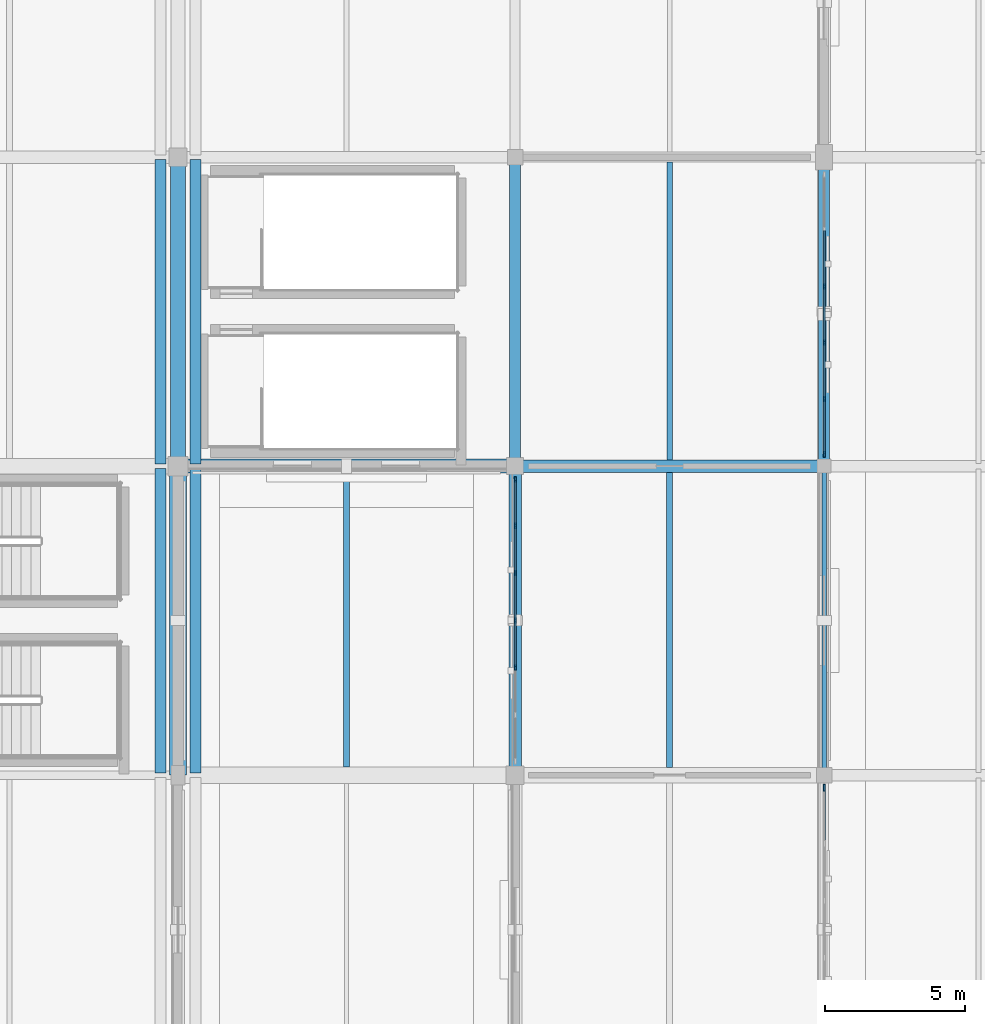
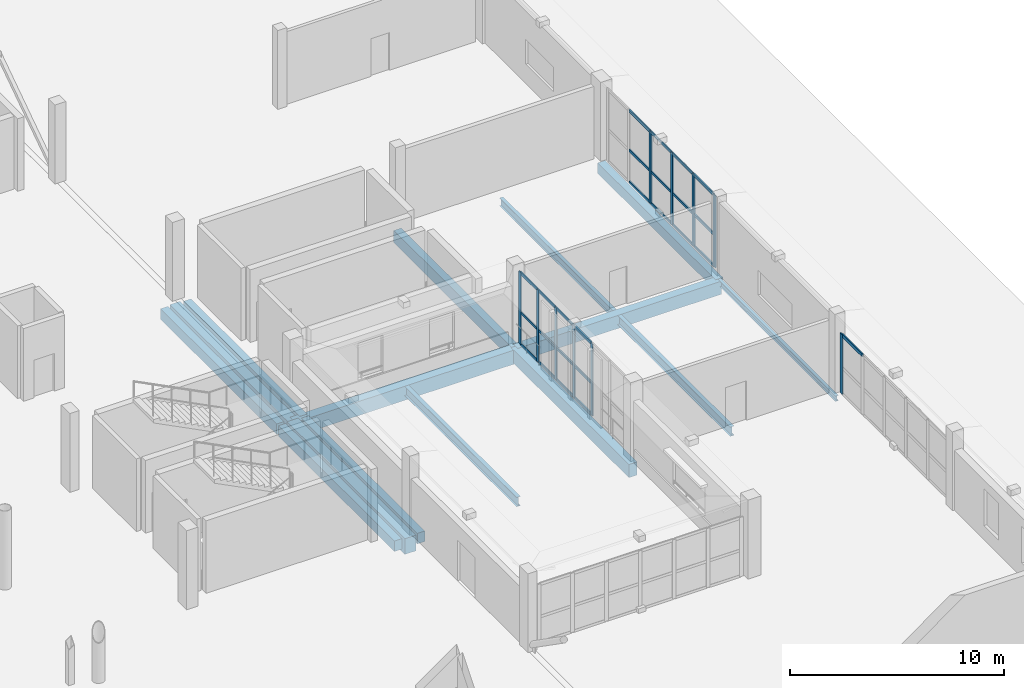
# One storey, part 57 of 118: 35 members, 15 beams, 3 elements without a shape of their own.
"""IFC4 building model written with IfcOpenShell, lengths in metres."""

from ifc_helpers import new_model, si_unit, direction, frame, origin, origin_2d, place, context, subcontext, project, spatial, rectangle, i_section, extrude, material, material_profile, profile_set, type_object, element, aggregate, save


model = new_model("IFC4")

# Units and contexts
model_context = context("Model", 3, precision=1e-05, world=origin(), true_north=direction((0.0, 1.0)))
body_context = subcontext(model_context, "Body", "Model", "MODEL_VIEW")
ifc_project = project(units=[si_unit("LENGTHUNIT", "METRE"), si_unit("AREAUNIT", "SQUARE_METRE"), si_unit("VOLUMEUNIT", "CUBIC_METRE"), si_unit("PLANEANGLEUNIT", "RADIAN"), si_unit("MASSUNIT", "GRAM", prefix="KILO")], contexts=[model_context])

# Site, building, storey
site_placement = place(None, origin())
site = spatial("IfcSite", under=ifc_project, at=site_placement, CompositionType="ELEMENT")
building_placement = place(site_placement, origin())
building = spatial("IfcBuilding", under=site, at=building_placement, Name="Luwafu Chhajja Arena", CompositionType="ELEMENT")
storey_placement = place(building_placement, frame((0.0, 0.0, 10.199951171875)))
storey = spatial("IfcBuildingStorey", under=building, at=storey_placement, Name="L02", CompositionType="ELEMENT", Elevation=10.199951171875)

# Curtain wall, members
ifc_material_1 = material(Name="Anodised bronze aluminium", Category="aluminium")
curtain_wall_type_1 = type_object("IfcCurtainWallType", Name="Pavilion Cafe Glazed Curtain Wall", PredefinedType="USERDEFINED", material=ifc_material_1)
curtain_wall_1_placement = place(storey_placement, origin())
curtain_wall_1 = element("IfcCurtainWall", 1, at=curtain_wall_1_placement, inside=storey, type_object=curtain_wall_type_1, Name="L02 Curtain Wall CWG-L02-V15_04", ObjectType="CURTAIN WALL", PredefinedType="USERDEFINED")
ifc_material_profile_1 = material_profile(ifc_material_1, rectangle(XDim=0.06494140625, YDim=0.199951171875, at=origin_2d()), Name="CWM 65x200")
ifc_profile_set_1 = profile_set([ifc_material_profile_1], Name="Anodised bronze aluminium")
member_type_1 = type_object("IfcMemberType", Name="Bronze Curtain Wall Mullion 65x200", PredefinedType="MULLION", material=ifc_profile_set_1)
member_1_placement = place(storey_placement, frame((176.0, 47.830078125, 0.030029296875), z_axis=(0.0, 0.0, 1.0), x_axis=(-1.0, 0.0, 0.0)))
member_1 = element("IfcMember", 2, at=member_1_placement, type_object=member_type_1, Name="CW-07 mullion 3", PredefinedType="MULLION", context=body_context, shape_type="SweptSolid", body=[
    extrude(rectangle(XDim=0.06494140625, YDim=0.199951171875, at=origin_2d()), origin(), (0.0, 0.0, 1.0), 4.114990234375),
])
member_2_placement = place(storey_placement, frame((176.0, 49.512451171875, 0.030029296875), z_axis=(0.0, 0.0, 1.0), x_axis=(-1.0, 0.0, 0.0)))
member_2 = element("IfcMember", 3, at=member_2_placement, type_object=member_type_1, Name="CW-07 mullion 4", PredefinedType="MULLION", context=body_context, shape_type="SweptSolid", body=[
    extrude(rectangle(XDim=0.06494140625, YDim=0.199951171875, at=origin_2d()), origin(), (0.0, 0.0, 1.0), 4.114990234375),
])
member_3_placement = place(storey_placement, frame((176.0, 51.195068359375, 0.030029296875), z_axis=(0.0, 0.0, 1.0), x_axis=(-1.0, 0.0, 0.0)))
member_3 = element("IfcMember", 4, at=member_3_placement, type_object=member_type_1, Name="CW-07 mullion 5", PredefinedType="MULLION", context=body_context, shape_type="SweptSolid", body=[
    extrude(rectangle(XDim=0.06494140625, YDim=0.199951171875, at=origin_2d()), origin(), (0.0, 0.0, 1.0), 4.114990234375),
])
member_4_placement = place(storey_placement, frame((176.0, 52.87744140625, 0.030029296875), z_axis=(0.0, 0.0, 1.0), x_axis=(-1.0, 0.0, 0.0)))
member_4 = element("IfcMember", 5, at=member_4_placement, type_object=member_type_1, Name="CW-07 mullion 6", PredefinedType="MULLION", context=body_context, shape_type="SweptSolid", body=[
    extrude(rectangle(XDim=0.06494140625, YDim=0.199951171875, at=origin_2d()), origin(), (0.0, 0.0, 1.0), 4.114990234375),
])
member_5_placement = place(storey_placement, frame((176.0, 54.527587890625, 0.030029296875), z_axis=(0.0, 0.0, 1.0), x_axis=(-1.0, 0.0, 0.0)))
member_5 = element("IfcMember", 6, at=member_5_placement, type_object=member_type_1, Name="CW-07 mullion 7", PredefinedType="MULLION", context=body_context, shape_type="SweptSolid", body=[
    extrude(rectangle(XDim=0.06494140625, YDim=0.199951171875, at=origin_2d()), origin(), (0.0, 0.0, 1.0), 4.114990234375),
])

curtain_wall_type_2 = type_object("IfcCurtainWallType", Name="Hospitality Ring Curtain Wall", PredefinedType="USERDEFINED", material=ifc_material_1)
curtain_wall_2_placement = place(storey_placement, origin())
curtain_wall_2 = element("IfcCurtainWall", 7, at=curtain_wall_2_placement, inside=storey, type_object=curtain_wall_type_2, Name="L02 Curtain Wall CWG-L02-V16_05", ObjectType="CURTAIN WALL", PredefinedType="USERDEFINED")
member_6_placement = place(storey_placement, frame((187.0, 55.422607421875, 0.030029296875), z_axis=(0.0, 0.0, 1.0), x_axis=(-1.0, 0.0, 0.0)))
member_6 = element("IfcMember", 8, at=member_6_placement, type_object=member_type_1, Name="CW-02 mullion 1", PredefinedType="MULLION", context=body_context, shape_type="SweptSolid", body=[
    extrude(rectangle(XDim=0.06494140625, YDim=0.199951171875, at=origin_2d()), origin(), (0.0, 0.0, 1.0), 4.114990234375),
])
member_7_placement = place(storey_placement, frame((187.0, 57.39404296875, 0.030029296875), z_axis=(0.0, 0.0, 1.0), x_axis=(-1.0, 0.0, 0.0)))
member_7 = element("IfcMember", 9, at=member_7_placement, type_object=member_type_1, Name="CW-02 mullion 2", PredefinedType="MULLION", context=body_context, shape_type="SweptSolid", body=[
    extrude(rectangle(XDim=0.06494140625, YDim=0.199951171875, at=origin_2d()), origin(), (0.0, 0.0, 1.0), 4.114990234375),
])
member_8_placement = place(storey_placement, frame((187.0, 59.39794921875, 0.030029296875), z_axis=(0.0, 0.0, 1.0), x_axis=(-1.0, 0.0, 0.0)))
member_8 = element("IfcMember", 10, at=member_8_placement, type_object=member_type_1, Name="CW-02 mullion 3", PredefinedType="MULLION", context=body_context, shape_type="SweptSolid", body=[
    extrude(rectangle(XDim=0.06494140625, YDim=0.199951171875, at=origin_2d()), origin(), (0.0, 0.0, 1.0), 4.114990234375),
])
member_9_placement = place(storey_placement, frame((187.0, 61.402099609375, 0.030029296875), z_axis=(0.0, 0.0, 1.0), x_axis=(-1.0, 0.0, 0.0)))
member_9 = element("IfcMember", 11, at=member_9_placement, type_object=member_type_1, Name="CW-02 mullion 4", PredefinedType="MULLION", context=body_context, shape_type="SweptSolid", body=[
    extrude(rectangle(XDim=0.06494140625, YDim=0.199951171875, at=origin_2d()), origin(), (0.0, 0.0, 1.0), 4.114990234375),
])

# Curtain wall, member
curtain_wall_type_3 = type_object("IfcCurtainWallType", Name="Warm-Up Gallery Curtain Wall", PredefinedType="USERDEFINED", material=ifc_material_1)
curtain_wall_3_placement = place(storey_placement, origin())
curtain_wall_3 = element("IfcCurtainWall", 12, at=curtain_wall_3_placement, inside=storey, type_object=curtain_wall_type_3, Name="L02 Curtain Wall CWG-L02-V16_03", ObjectType="CURTAIN WALL", PredefinedType="USERDEFINED")
ifc_material_profile_2 = material_profile(ifc_material_1, rectangle(XDim=0.070068359375, YDim=0.239990234375, at=origin_2d()), Name="CWM 70x240")
ifc_profile_set_2 = profile_set([ifc_material_profile_2], Name="Anodised bronze aluminium")
member_type_2 = type_object("IfcMemberType", Name="Bronze Curtain Wall Mullion 70x240", PredefinedType="MULLION", material=ifc_profile_set_2)
member_10_placement = place(storey_placement, frame((187.0, 43.550048828125, 0.030029296875), z_axis=(0.0, 0.0, 1.0), x_axis=(-1.0, 0.0, 0.0)))
member_10 = element("IfcMember", 13, at=member_10_placement, type_object=member_type_2, Name="CW-08 mullion 6", PredefinedType="MULLION", context=body_context, shape_type="SweptSolid", body=[
    extrude(rectangle(XDim=0.070068359375, YDim=0.239990234375, at=origin_2d()), origin(), (0.0, 0.0, 1.0), 3.375),
])

# Member
ifc_material_profile_3 = material_profile(ifc_material_1, rectangle(XDim=0.06494140625, YDim=0.14990234375, at=origin_2d()), Name="CWT 65x150")
ifc_profile_set_3 = profile_set([ifc_material_profile_3], Name="Anodised bronze aluminium")
member_type_3 = type_object("IfcMemberType", Name="Bronze Curtain Wall Transom 65x150", PredefinedType="USERDEFINED", material=ifc_profile_set_3)
member_11_placement = place(storey_placement, frame((176.0, 47.862548828125, 0.0625), z_axis=(0.0, 1.0, 0.0), x_axis=(-1.0, 0.0, 0.0)))
member_11 = element("IfcMember", 14, at=member_11_placement, type_object=member_type_3, Name="CW-07 transom 3.1", ObjectType="TRANSOM", PredefinedType="USERDEFINED", context=body_context, shape_type="SweptSolid", body=[
    extrude(rectangle(XDim=0.06494140625, YDim=0.14990234375, at=origin_2d()), origin(), (0.0, 0.0, 1.0), 1.617431640625),
])

member_12_placement = place(storey_placement, frame((176.0, 47.862548828125, 1.865234375), z_axis=(0.0, 1.0, 0.0), x_axis=(-1.0, 0.0, 0.0)))
member_12 = element("IfcMember", 15, at=member_12_placement, type_object=member_type_3, Name="CW-07 transom 3.2", ObjectType="TRANSOM", PredefinedType="USERDEFINED", context=body_context, shape_type="SweptSolid", body=[
    extrude(rectangle(XDim=0.06494140625, YDim=0.14990234375, at=origin_2d()), origin(), (0.0, 0.0, 1.0), 1.617431640625),
])

member_13_placement = place(storey_placement, frame((176.0, 47.862548828125, 4.112548828125), z_axis=(0.0, 1.0, 0.0), x_axis=(-1.0, 0.0, 0.0)))
member_13 = element("IfcMember", 16, at=member_13_placement, type_object=member_type_3, Name="CW-07 transom 3.3", ObjectType="TRANSOM", PredefinedType="USERDEFINED", context=body_context, shape_type="SweptSolid", body=[
    extrude(rectangle(XDim=0.06494140625, YDim=0.14990234375, at=origin_2d()), origin(), (0.0, 0.0, 1.0), 1.617431640625),
])

member_14_placement = place(storey_placement, frame((176.0, 49.544921875, 0.0625), z_axis=(0.0, 1.0, 0.0), x_axis=(-1.0, 0.0, 0.0)))
member_14 = element("IfcMember", 17, at=member_14_placement, type_object=member_type_3, Name="CW-07 transom 4.1", ObjectType="TRANSOM", PredefinedType="USERDEFINED", context=body_context, shape_type="SweptSolid", body=[
    extrude(rectangle(XDim=0.06494140625, YDim=0.14990234375, at=origin_2d()), origin(), (0.0, 0.0, 1.0), 1.61767578125),
])

member_15_placement = place(storey_placement, frame((176.0, 49.544921875, 1.865234375), z_axis=(0.0, 1.0, 0.0), x_axis=(-1.0, 0.0, 0.0)))
member_15 = element("IfcMember", 18, at=member_15_placement, type_object=member_type_3, Name="CW-07 transom 4.2", ObjectType="TRANSOM", PredefinedType="USERDEFINED", context=body_context, shape_type="SweptSolid", body=[
    extrude(rectangle(XDim=0.06494140625, YDim=0.14990234375, at=origin_2d()), origin(), (0.0, 0.0, 1.0), 1.61767578125),
])

member_16_placement = place(storey_placement, frame((176.0, 49.544921875, 4.112548828125), z_axis=(0.0, 1.0, 0.0), x_axis=(-1.0, 0.0, 0.0)))
member_16 = element("IfcMember", 19, at=member_16_placement, type_object=member_type_3, Name="CW-07 transom 4.3", ObjectType="TRANSOM", PredefinedType="USERDEFINED", context=body_context, shape_type="SweptSolid", body=[
    extrude(rectangle(XDim=0.06494140625, YDim=0.14990234375, at=origin_2d()), origin(), (0.0, 0.0, 1.0), 1.61767578125),
])

member_17_placement = place(storey_placement, frame((176.0, 51.2275390625, 0.0625), z_axis=(0.0, 1.0, 0.0), x_axis=(-1.0, 0.0, 0.0)))
member_17 = element("IfcMember", 20, at=member_17_placement, type_object=member_type_3, Name="CW-07 transom 5.1", ObjectType="TRANSOM", PredefinedType="USERDEFINED", context=body_context, shape_type="SweptSolid", body=[
    extrude(rectangle(XDim=0.06494140625, YDim=0.14990234375, at=origin_2d()), origin(), (0.0, 0.0, 1.0), 1.617431640625),
])

member_18_placement = place(storey_placement, frame((176.0, 51.2275390625, 1.865234375), z_axis=(0.0, 1.0, 0.0), x_axis=(-1.0, 0.0, 0.0)))
member_18 = element("IfcMember", 21, at=member_18_placement, type_object=member_type_3, Name="CW-07 transom 5.2", ObjectType="TRANSOM", PredefinedType="USERDEFINED", context=body_context, shape_type="SweptSolid", body=[
    extrude(rectangle(XDim=0.06494140625, YDim=0.14990234375, at=origin_2d()), origin(), (0.0, 0.0, 1.0), 1.617431640625),
])

member_19_placement = place(storey_placement, frame((176.0, 51.2275390625, 4.112548828125), z_axis=(0.0, 1.0, 0.0), x_axis=(-1.0, 0.0, 0.0)))
member_19 = element("IfcMember", 22, at=member_19_placement, type_object=member_type_3, Name="CW-07 transom 5.3", ObjectType="TRANSOM", PredefinedType="USERDEFINED", context=body_context, shape_type="SweptSolid", body=[
    extrude(rectangle(XDim=0.06494140625, YDim=0.14990234375, at=origin_2d()), origin(), (0.0, 0.0, 1.0), 1.617431640625),
])

member_20_placement = place(storey_placement, frame((176.0, 52.909912109375, 0.0625), z_axis=(0.0, 1.0, 0.0), x_axis=(-1.0, 0.0, 0.0)))
member_20 = element("IfcMember", 23, at=member_20_placement, type_object=member_type_3, Name="CW-07 transom 6.1", ObjectType="TRANSOM", PredefinedType="USERDEFINED", context=body_context, shape_type="SweptSolid", body=[
    extrude(rectangle(XDim=0.06494140625, YDim=0.14990234375, at=origin_2d()), origin(), (0.0, 0.0, 1.0), 1.585205078125),
])

member_21_placement = place(storey_placement, frame((176.0, 52.909912109375, 1.865234375), z_axis=(0.0, 1.0, 0.0), x_axis=(-1.0, 0.0, 0.0)))
member_21 = element("IfcMember", 24, at=member_21_placement, type_object=member_type_3, Name="CW-07 transom 6.2", ObjectType="TRANSOM", PredefinedType="USERDEFINED", context=body_context, shape_type="SweptSolid", body=[
    extrude(rectangle(XDim=0.06494140625, YDim=0.14990234375, at=origin_2d()), origin(), (0.0, 0.0, 1.0), 1.585205078125),
])

member_22_placement = place(storey_placement, frame((176.0, 52.909912109375, 4.112548828125), z_axis=(0.0, 1.0, 0.0), x_axis=(-1.0, 0.0, 0.0)))
member_22 = element("IfcMember", 25, at=member_22_placement, type_object=member_type_3, Name="CW-07 transom 6.3", ObjectType="TRANSOM", PredefinedType="USERDEFINED", context=body_context, shape_type="SweptSolid", body=[
    extrude(rectangle(XDim=0.06494140625, YDim=0.14990234375, at=origin_2d()), origin(), (0.0, 0.0, 1.0), 1.585205078125),
])

aggregate(curtain_wall_1, [member_1, member_2, member_3, member_4, member_5, member_11, member_12, member_13, member_14, member_15, member_16, member_17, member_18, member_19, member_20, member_21, member_22])

member_23_placement = place(storey_placement, frame((187.0, 55.455078125, 0.0625), z_axis=(0.0, 1.0, 0.0), x_axis=(-1.0, 0.0, 0.0)))
member_23 = element("IfcMember", 26, at=member_23_placement, type_object=member_type_3, Name="CW-02 transom 1.1", ObjectType="TRANSOM", PredefinedType="USERDEFINED", context=body_context, shape_type="SweptSolid", body=[
    extrude(rectangle(XDim=0.06494140625, YDim=0.14990234375, at=origin_2d()), origin(), (0.0, 0.0, 1.0), 1.906494140625),
])

member_24_placement = place(storey_placement, frame((187.0, 55.455078125, 1.865234375), z_axis=(0.0, 1.0, 0.0), x_axis=(-1.0, 0.0, 0.0)))
member_24 = element("IfcMember", 27, at=member_24_placement, type_object=member_type_3, Name="CW-02 transom 1.2", ObjectType="TRANSOM", PredefinedType="USERDEFINED", context=body_context, shape_type="SweptSolid", body=[
    extrude(rectangle(XDim=0.06494140625, YDim=0.14990234375, at=origin_2d()), origin(), (0.0, 0.0, 1.0), 1.906494140625),
])

member_25_placement = place(storey_placement, frame((187.0, 55.455078125, 4.112548828125), z_axis=(0.0, 1.0, 0.0), x_axis=(-1.0, 0.0, 0.0)))
member_25 = element("IfcMember", 28, at=member_25_placement, type_object=member_type_3, Name="CW-02 transom 1.3", ObjectType="TRANSOM", PredefinedType="USERDEFINED", context=body_context, shape_type="SweptSolid", body=[
    extrude(rectangle(XDim=0.06494140625, YDim=0.14990234375, at=origin_2d()), origin(), (0.0, 0.0, 1.0), 1.906494140625),
])

member_26_placement = place(storey_placement, frame((187.0, 57.426513671875, 0.0625), z_axis=(0.0, 1.0, 0.0), x_axis=(-1.0, 0.0, 0.0)))
member_26 = element("IfcMember", 29, at=member_26_placement, type_object=member_type_3, Name="CW-02 transom 2.1", ObjectType="TRANSOM", PredefinedType="USERDEFINED", context=body_context, shape_type="SweptSolid", body=[
    extrude(rectangle(XDim=0.06494140625, YDim=0.14990234375, at=origin_2d()), origin(), (0.0, 0.0, 1.0), 1.93896484375),
])

member_27_placement = place(storey_placement, frame((187.0, 57.426513671875, 1.865234375), z_axis=(0.0, 1.0, 0.0), x_axis=(-1.0, 0.0, 0.0)))
member_27 = element("IfcMember", 30, at=member_27_placement, type_object=member_type_3, Name="CW-02 transom 2.2", ObjectType="TRANSOM", PredefinedType="USERDEFINED", context=body_context, shape_type="SweptSolid", body=[
    extrude(rectangle(XDim=0.06494140625, YDim=0.14990234375, at=origin_2d()), origin(), (0.0, 0.0, 1.0), 1.93896484375),
])

member_28_placement = place(storey_placement, frame((187.0, 57.426513671875, 4.112548828125), z_axis=(0.0, 1.0, 0.0), x_axis=(-1.0, 0.0, 0.0)))
member_28 = element("IfcMember", 31, at=member_28_placement, type_object=member_type_3, Name="CW-02 transom 2.3", ObjectType="TRANSOM", PredefinedType="USERDEFINED", context=body_context, shape_type="SweptSolid", body=[
    extrude(rectangle(XDim=0.06494140625, YDim=0.14990234375, at=origin_2d()), origin(), (0.0, 0.0, 1.0), 1.93896484375),
])

member_29_placement = place(storey_placement, frame((187.0, 59.430419921875, 0.0625), z_axis=(0.0, 1.0, 0.0), x_axis=(-1.0, 0.0, 0.0)))
member_29 = element("IfcMember", 32, at=member_29_placement, type_object=member_type_3, Name="CW-02 transom 3.1", ObjectType="TRANSOM", PredefinedType="USERDEFINED", context=body_context, shape_type="SweptSolid", body=[
    extrude(rectangle(XDim=0.06494140625, YDim=0.14990234375, at=origin_2d()), origin(), (0.0, 0.0, 1.0), 1.93896484375),
])

member_30_placement = place(storey_placement, frame((187.0, 59.430419921875, 1.865234375), z_axis=(0.0, 1.0, 0.0), x_axis=(-1.0, 0.0, 0.0)))
member_30 = element("IfcMember", 33, at=member_30_placement, type_object=member_type_3, Name="CW-02 transom 3.2", ObjectType="TRANSOM", PredefinedType="USERDEFINED", context=body_context, shape_type="SweptSolid", body=[
    extrude(rectangle(XDim=0.06494140625, YDim=0.14990234375, at=origin_2d()), origin(), (0.0, 0.0, 1.0), 1.93896484375),
])

member_31_placement = place(storey_placement, frame((187.0, 59.430419921875, 4.112548828125), z_axis=(0.0, 1.0, 0.0), x_axis=(-1.0, 0.0, 0.0)))
member_31 = element("IfcMember", 34, at=member_31_placement, type_object=member_type_3, Name="CW-02 transom 3.3", ObjectType="TRANSOM", PredefinedType="USERDEFINED", context=body_context, shape_type="SweptSolid", body=[
    extrude(rectangle(XDim=0.06494140625, YDim=0.14990234375, at=origin_2d()), origin(), (0.0, 0.0, 1.0), 1.93896484375),
])

member_32_placement = place(storey_placement, frame((187.0, 61.4345703125, 0.0625), z_axis=(0.0, 1.0, 0.0), x_axis=(-1.0, 0.0, 0.0)))
member_32 = element("IfcMember", 35, at=member_32_placement, type_object=member_type_3, Name="CW-02 transom 4.1", ObjectType="TRANSOM", PredefinedType="USERDEFINED", context=body_context, shape_type="SweptSolid", body=[
    extrude(rectangle(XDim=0.06494140625, YDim=0.14990234375, at=origin_2d()), origin(), (0.0, 0.0, 1.0), 1.93896484375),
])

member_33_placement = place(storey_placement, frame((187.0, 61.4345703125, 1.865234375), z_axis=(0.0, 1.0, 0.0), x_axis=(-1.0, 0.0, 0.0)))
member_33 = element("IfcMember", 36, at=member_33_placement, type_object=member_type_3, Name="CW-02 transom 4.2", ObjectType="TRANSOM", PredefinedType="USERDEFINED", context=body_context, shape_type="SweptSolid", body=[
    extrude(rectangle(XDim=0.06494140625, YDim=0.14990234375, at=origin_2d()), origin(), (0.0, 0.0, 1.0), 1.93896484375),
])

member_34_placement = place(storey_placement, frame((187.0, 61.4345703125, 4.112548828125), z_axis=(0.0, 1.0, 0.0), x_axis=(-1.0, 0.0, 0.0)))
member_34 = element("IfcMember", 37, at=member_34_placement, type_object=member_type_3, Name="CW-02 transom 4.3", ObjectType="TRANSOM", PredefinedType="USERDEFINED", context=body_context, shape_type="SweptSolid", body=[
    extrude(rectangle(XDim=0.06494140625, YDim=0.14990234375, at=origin_2d()), origin(), (0.0, 0.0, 1.0), 1.93896484375),
])

aggregate(curtain_wall_2, [member_6, member_7, member_8, member_9, member_23, member_24, member_25, member_26, member_27, member_28, member_29, member_30, member_31, member_32, member_33, member_34])

ifc_material_profile_4 = material_profile(ifc_material_1, rectangle(XDim=0.070068359375, YDim=0.179931640625, at=origin_2d()), Name="CWT 70x180")
ifc_profile_set_4 = profile_set([ifc_material_profile_4], Name="Anodised bronze aluminium")
member_type_4 = type_object("IfcMemberType", Name="Bronze Curtain Wall Transom 70x180", PredefinedType="USERDEFINED", material=ifc_profile_set_4)
member_35_placement = place(storey_placement, frame((187.0, 41.591064453125, 3.3701171875), z_axis=(0.0, 1.0, 0.0), x_axis=(-1.0, 0.0, 0.0)))
member_35 = element("IfcMember", 38, at=member_35_placement, type_object=member_type_4, Name="CW-08 transom 5.3", ObjectType="TRANSOM", PredefinedType="USERDEFINED", context=body_context, shape_type="SweptSolid", body=[
    extrude(rectangle(XDim=0.070068359375, YDim=0.179931640625, at=origin_2d()), origin(), (0.0, 0.0, 1.0), 1.923828125),
])

aggregate(curtain_wall_3, [member_10, member_35])

# Beams
ifc_material_2 = material(Name="Steel S355", Category="steel")
ifc_material_profile_5 = material_profile(ifc_material_2, i_section(OverallWidth=0.165771484375, OverallDepth=0.306640625, WebThickness=0.006591796875, FlangeThickness=0.01171875, at=origin_2d()), Name="UB 305x165x46")
ifc_profile_set_5 = profile_set([ifc_material_profile_5], Name="Steel S355")
beam_type_1 = type_object("IfcBeamType", Name="Concourse Edge Spandrel Beam UB 305x165x46", PredefinedType="SPANDREL", material=ifc_profile_set_5)
beam_1_placement = place(storey_placement, frame((187.0, 44.0, -0.543212890625), z_axis=(0.0, 1.0, 0.0), x_axis=(-1.0, 0.0, 0.0)))
element("IfcBeam", 39, at=beam_1_placement, inside=storey, type_object=beam_type_1, Name="L02 Grid Beam 17/E-F", PredefinedType="SPANDREL", context=body_context, shape_type="SweptSolid", body=[
    extrude(i_section(OverallWidth=0.165771484375, OverallDepth=0.306640625, WebThickness=0.006591796875, FlangeThickness=0.01171875, at=origin_2d()), origin(), (0.0, 0.0, 1.0), 11.0),
])
ifc_material_3 = material(Name="Concrete C35/45", Category="concrete")
ifc_material_profile_6 = material_profile(ifc_material_3, rectangle(XDim=0.60009765625, YDim=0.89990234375, at=origin_2d()), Name="RC 600x900")
ifc_profile_set_6 = profile_set([ifc_material_profile_6], Name="Concrete C35/45")
beam_type_2 = type_object("IfcBeamType", Name="Concourse Primary Girder RC 600x900", PredefinedType="BEAM", material=ifc_profile_set_6)
beam_2_placement = place(storey_placement, frame((164.0, 44.0, -0.83984375), z_axis=(0.0, 1.0, 0.0), x_axis=(-1.0, 0.0, 0.0)))
element("IfcBeam", 40, at=beam_2_placement, inside=storey, type_object=beam_type_2, Name="L02 Grid Beam 15/E-F", PredefinedType="BEAM", context=body_context, shape_type="SweptSolid", body=[
    extrude(rectangle(XDim=0.60009765625, YDim=0.89990234375, at=origin_2d()), origin(), (0.0, 0.0, 1.0), 11.0),
])
ifc_material_profile_7 = material_profile(ifc_material_3, rectangle(XDim=0.550048828125, YDim=0.949951171875, at=origin_2d()), Name="RC 550x950")
ifc_profile_set_7 = profile_set([ifc_material_profile_7], Name="Concrete C35/45")
beam_type_3 = type_object("IfcBeamType", Name="Concourse Radial Girder RC 550x950", PredefinedType="BEAM", material=ifc_profile_set_7)
beam_3_placement = place(storey_placement, frame((164.0, 55.0, -0.864990234375), z_axis=(0.0, 1.0, 0.0), x_axis=(-1.0, 0.0, 0.0)))
element("IfcBeam", 41, at=beam_3_placement, inside=storey, type_object=beam_type_3, Name="L02 Grid Beam 15/F-G", PredefinedType="BEAM", context=body_context, shape_type="SweptSolid", body=[
    extrude(rectangle(XDim=0.550048828125, YDim=0.949951171875, at=origin_2d()), origin(), (0.0, 0.0, 1.0), 11.0),
])
ifc_material_profile_8 = material_profile(ifc_material_2, i_section(OverallWidth=0.19140625, OverallDepth=0.4599609375, WebThickness=0.010009765625, FlangeThickness=0.01611328125, at=origin_2d()), Name="UB 457x191x82")
ifc_profile_set_8 = profile_set([ifc_material_profile_8], Name="Steel S355")
beam_type_4 = type_object("IfcBeamType", Name="Floor Joist UB 457x191x82", PredefinedType="JOIST", material=ifc_profile_set_8)
beam_4_placement = place(storey_placement, frame((181.5, 55.22509765625, -0.619873046875), z_axis=(0.0, 1.0, 0.0), x_axis=(-1.0, 0.0, 0.0)))
element("IfcBeam", 42, at=beam_4_placement, inside=storey, type_object=beam_type_4, Name="L02 Secondary Joist 16-17/F", PredefinedType="JOIST", context=body_context, shape_type="SweptSolid", body=[
    extrude(i_section(OverallWidth=0.19140625, OverallDepth=0.4599609375, WebThickness=0.010009765625, FlangeThickness=0.01611328125, at=origin_2d()), origin(), (0.0, 0.0, 1.0), 10.599853515625),
])
ifc_material_profile_9 = material_profile(ifc_material_2, i_section(OverallWidth=0.2099609375, OverallDepth=0.53662109375, WebThickness=0.0107421875, FlangeThickness=0.017333984375, at=origin_2d()), Name="UB 533x210x101")
ifc_profile_set_9 = profile_set([ifc_material_profile_9], Name="Steel S355")
beam_type_5 = type_object("IfcBeamType", Name="Floor Joist UB 533x210x101", PredefinedType="JOIST", material=ifc_profile_set_9)
beam_5_placement = place(storey_placement, frame((170.0, 44.300048828125, -0.658203125), z_axis=(0.0, 1.0, 0.0), x_axis=(-1.0, 0.0, 0.0)))
element("IfcBeam", 43, at=beam_5_placement, inside=storey, type_object=beam_type_5, Name="L02 Secondary Joist 15-16/E", PredefinedType="JOIST", context=body_context, shape_type="SweptSolid", body=[
    extrude(i_section(OverallWidth=0.2099609375, OverallDepth=0.53662109375, WebThickness=0.0107421875, FlangeThickness=0.017333984375, at=origin_2d()), origin(), (0.0, 0.0, 1.0), 10.449951171875),
])
ifc_material_profile_10 = material_profile(ifc_material_2, i_section(OverallWidth=0.209228515625, OverallDepth=0.533203125, WebThickness=0.010009765625, FlangeThickness=0.015625, at=origin_2d()), Name="UB 533x210x92")
ifc_profile_set_10 = profile_set([ifc_material_profile_10], Name="Steel S355")
beam_type_6 = type_object("IfcBeamType", Name="Floor Joist UB 533x210x92", PredefinedType="JOIST", material=ifc_profile_set_10)
beam_6_placement = place(storey_placement, frame((181.5, 44.27490234375, -0.656494140625), z_axis=(0.0, 1.0, 0.0), x_axis=(-1.0, 0.0, 0.0)))
element("IfcBeam", 44, at=beam_6_placement, inside=storey, type_object=beam_type_6, Name="L02 Secondary Joist 16-17/E", PredefinedType="JOIST", context=body_context, shape_type="SweptSolid", body=[
    extrude(i_section(OverallWidth=0.209228515625, OverallDepth=0.533203125, WebThickness=0.010009765625, FlangeThickness=0.015625, at=origin_2d()), origin(), (0.0, 0.0, 1.0), 10.5),
])
ifc_material_profile_11 = material_profile(ifc_material_3, rectangle(XDim=0.5, YDim=0.800048828125, at=origin_2d()), Name="RC 500x800")
ifc_profile_set_11 = profile_set([ifc_material_profile_11], Name="Concrete C35/45")
beam_type_7 = type_object("IfcBeamType", Name="Hospitality Primary Beam RC 500x800", PredefinedType="BEAM", material=ifc_profile_set_11)
beam_7_placement = place(storey_placement, frame((164.0, 55.0, -0.7900390625), z_axis=(1.0, 0.0, 0.0), x_axis=(0.0, 1.0, 0.0)))
element("IfcBeam", 45, at=beam_7_placement, inside=storey, type_object=beam_type_7, Name="L02 Grid Beam 15-16/F", PredefinedType="BEAM", context=body_context, shape_type="SweptSolid", body=[
    extrude(rectangle(XDim=0.5, YDim=0.800048828125, at=origin_2d()), origin(), (0.0, 0.0, 1.0), 12.0),
])
ifc_material_profile_12 = material_profile(ifc_material_3, rectangle(XDim=0.39990234375, YDim=0.60009765625, at=origin_2d()), Name="RC 400x600")
ifc_profile_set_12 = profile_set([ifc_material_profile_12], Name="Concrete C35/45")
beam_type_8 = type_object("IfcBeamType", Name="Podium Perimeter Spandrel RC 400x600", PredefinedType="SPANDREL", material=ifc_profile_set_12)
beam_8_placement = place(storey_placement, frame((187.0, 55.0, -0.68994140625), z_axis=(0.0, 1.0, 0.0), x_axis=(-1.0, 0.0, 0.0)))
element("IfcBeam", 46, at=beam_8_placement, inside=storey, type_object=beam_type_8, Name="L02 Grid Beam 17/F-G", PredefinedType="SPANDREL", context=body_context, shape_type="SweptSolid", body=[
    extrude(rectangle(XDim=0.39990234375, YDim=0.60009765625, at=origin_2d()), origin(), (0.0, 0.0, 1.0), 11.0),
])
for number, where, z_axis, x_axis, name in (
    (47, (163.3798828125, 44.080078125, -0.68994140625), (0.0, 1.0, 0.0), (-1.0, 0.0, 0.0), "L02 Movement Joint MJ2W Seat Girder 04"),
    (48, (163.3798828125, 55.080078125, -0.68994140625), (0.0, 1.0, 0.0), (-1.0, 0.0, 0.0), "L02 Movement Joint MJ2W Seat Girder 05"),
    (49, (164.6201171875, 44.080078125, -0.68994140625), (0.0, 1.0, 0.0), (-1.0, 0.0, 0.0), "L02 Movement Joint MJ2E Seat Girder 04"),
    (50, (164.6201171875, 55.080078125, -0.68994140625), (0.0, 1.0, 0.0), (-1.0, 0.0, 0.0), "L02 Movement Joint MJ2E Seat Girder 05"),
):
    element("IfcBeam", number, at=place(storey_placement, frame(where, z_axis=z_axis, x_axis=x_axis)), inside=storey, type_object=beam_type_8, Name=name, PredefinedType="SPANDREL", context=body_context, shape_type="SweptSolid", body=[
        extrude(rectangle(XDim=0.39990234375, YDim=0.60009765625, at=origin_2d()), origin(), (0.0, 0.0, 1.0), 10.83984375),
    ])
ifc_material_profile_13 = material_profile(ifc_material_3, rectangle(XDim=0.39990234375, YDim=0.699951171875, at=origin_2d()), Name="RC 400x700")
ifc_profile_set_13 = profile_set([ifc_material_profile_13], Name="Concrete C35/45")
beam_type_9 = type_object("IfcBeamType", Name="Wing Frame Beam RC 400x700", PredefinedType="BEAM", material=ifc_profile_set_13)
beam_9_placement = place(storey_placement, frame((176.0, 55.0, -0.739990234375), z_axis=(0.0, 1.0, 0.0), x_axis=(-1.0, 0.0, 0.0)))
element("IfcBeam", 51, at=beam_9_placement, inside=storey, type_object=beam_type_9, Name="L02 Grid Beam 16/F-G", PredefinedType="BEAM", context=body_context, shape_type="SweptSolid", body=[
    extrude(rectangle(XDim=0.39990234375, YDim=0.699951171875, at=origin_2d()), origin(), (0.0, 0.0, 1.0), 11.0),
])
ifc_material_profile_14 = material_profile(ifc_material_3, rectangle(XDim=0.449951171875, YDim=0.75, at=origin_2d()), Name="RC 450x750")
ifc_profile_set_14 = profile_set([ifc_material_profile_14], Name="Concrete C35/45")
beam_type_10 = type_object("IfcBeamType", Name="Wing Primary Beam RC 450x750", PredefinedType="BEAM", material=ifc_profile_set_14)
for number, where, z_axis, x_axis, name in (
    (52, (176.0, 55.0, -0.764892578125), (1.0, 0.0, 0.0), (0.0, 1.0, 0.0), "L02 Grid Beam 16-17/F"),
    (53, (176.0, 44.0, -0.764892578125), (0.0, 1.0, 0.0), (-1.0, 0.0, 0.0), "L02 Grid Beam 16/E-F"),
):
    element("IfcBeam", number, at=place(storey_placement, frame(where, z_axis=z_axis, x_axis=x_axis)), inside=storey, type_object=beam_type_10, Name=name, PredefinedType="BEAM", context=body_context, shape_type="SweptSolid", body=[
        extrude(rectangle(XDim=0.449951171875, YDim=0.75, at=origin_2d()), origin(), (0.0, 0.0, 1.0), 11.0),
    ])

save(model, "model.ifc")
